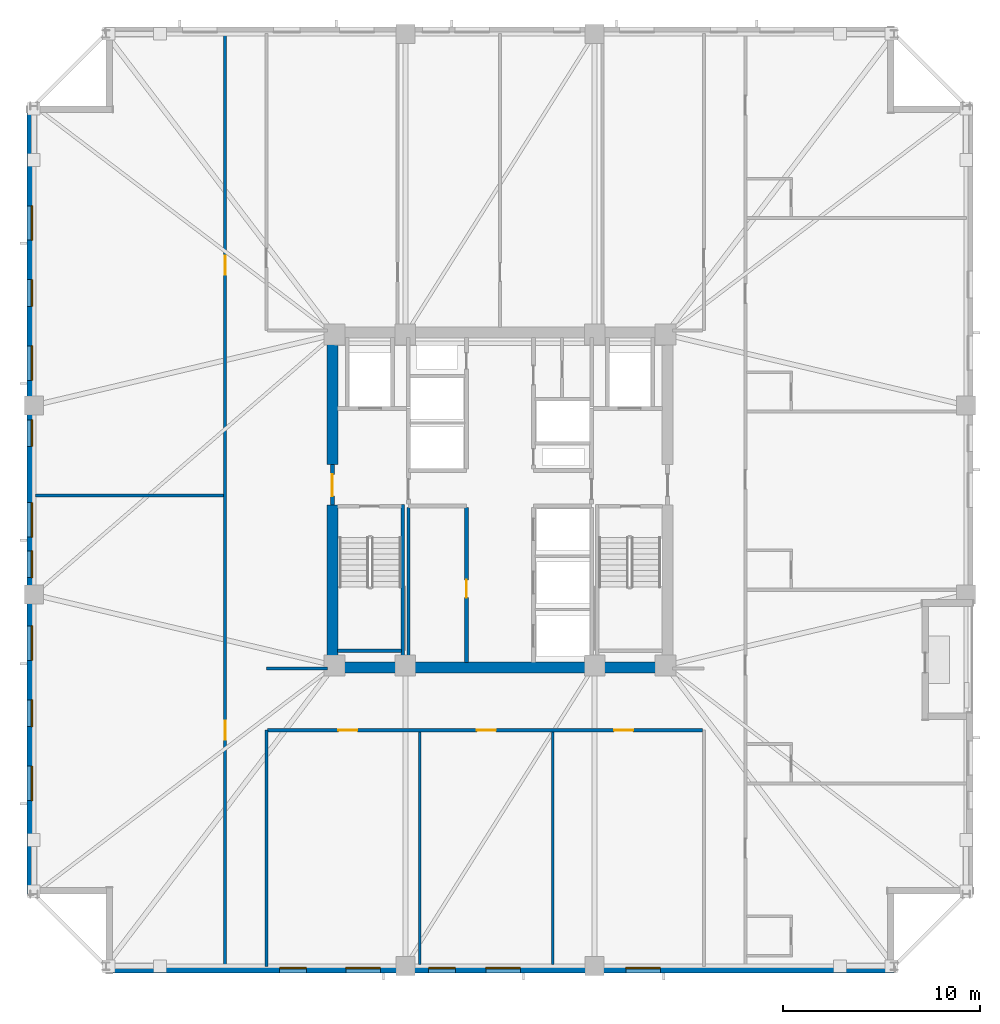
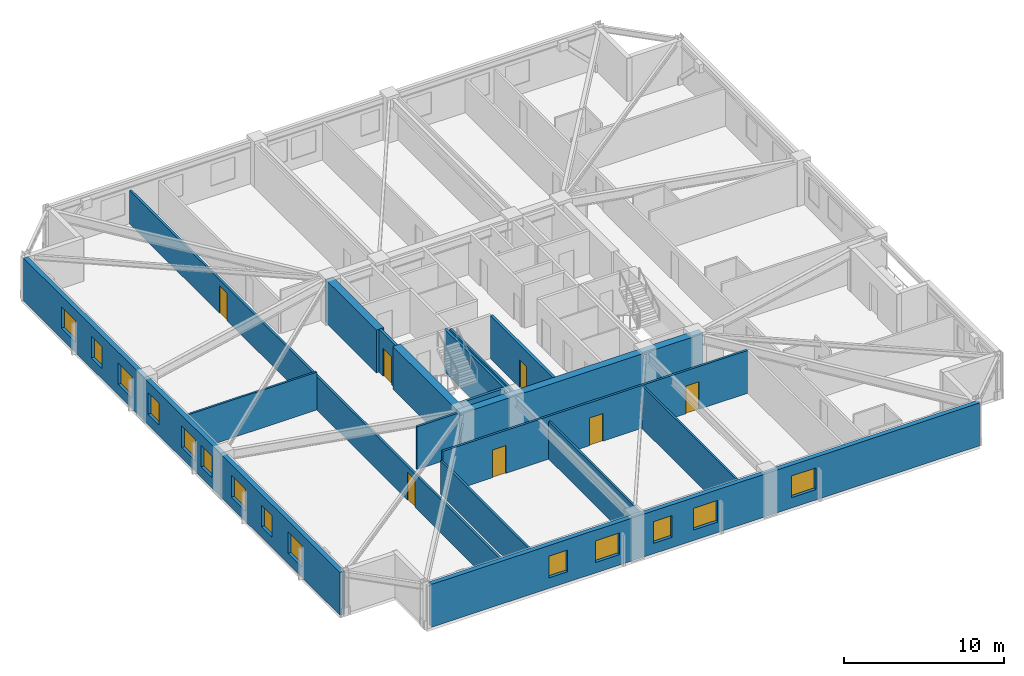
# One storey, part 2 of 10: 17 walls, 14 windows, 7 doors, 21 openings.
"""IFC4 building model written with IfcOpenShell, lengths in metres."""

import ifcopenshell
import ifcopenshell.guid

model = None  # the IFC model being written
_history = None  # IfcOwnerHistory: only IFC2X3 demands one
_inside = {}  # id of a spatial element -> (the spatial element, [elements in it])
_under = {}  # id of a project, library or spatial element -> (it, [spatial elements below it])
_declared = {}  # id of a project -> (the project, [libraries it declares])
_typed = {}  # id of a type object -> (the type object, [elements of that type])
_made_of = {}  # id of a material, layer set ... -> (it, [elements and type objects made of it])


def new_model(schema):
    """Start an empty IFC model of exactly this schema.

    Asked for "IFC4X3", IfcOpenShell would pick the latest addendum, in which some entities
    have other attributes; the version numbers below select the first issue.
    IFC2X3 requires an IfcOwnerHistory on every rooted entity: one is made here for all.
    """
    global model, _history
    if schema == "IFC4X3":
        model = ifcopenshell.file(schema_version=(4, 3, 0, 0))
    else:
        model = ifcopenshell.file(schema=schema)
    _inside.clear()
    _under.clear()
    _declared.clear()
    _typed.clear()
    _made_of.clear()
    _history = None
    if model.schema == "IFC2X3":
        org = make("IfcOrganization", Name="unknown")
        user = make(
            "IfcPersonAndOrganization",
            ThePerson=make("IfcPerson", FamilyName="unknown"),
            TheOrganization=org,
        )
        app = make(
            "IfcApplication",
            ApplicationDeveloper=org,
            Version="unknown",
            ApplicationFullName="unknown",
            ApplicationIdentifier="unknown",
        )
        _history = make(
            "IfcOwnerHistory",
            OwningUser=user,
            OwningApplication=app,
            ChangeAction="ADDED",
            CreationDate=0,
        )
    return model


def make(cls, **values):
    """One entity of the class cls with the attributes given. An attribute that is None is left unset."""
    return model.create_entity(
        cls, **{name: value for name, value in values.items() if value is not None}
    )


def rooted(cls, **values):
    """An entity with a GlobalId (a new one), such as an element, a storey or a relation."""
    return make(cls, GlobalId=ifcopenshell.guid.new(), OwnerHistory=_history, **values)


def si_unit(unit_type, name, prefix=None):
    """IfcSIUnit, for example si_unit("LENGTHUNIT", "METRE", prefix="MILLI")."""
    return make("IfcSIUnit", UnitType=unit_type, Prefix=prefix, Name=name)


def assignment(units):
    """IfcUnitAssignment: the units of a project."""
    return None if units is None else make("IfcUnitAssignment", Units=units)


def point(xyz):
    """IfcCartesianPoint."""
    return None if xyz is None else make("IfcCartesianPoint", Coordinates=xyz)


def direction(xyz):
    """IfcDirection."""
    return None if xyz is None else make("IfcDirection", DirectionRatios=xyz)


def frame(location, z_axis=None, x_axis=None):
    """IfcAxis2Placement3D, a coordinate frame: its origin and axes. An axis left out is left unset."""
    return make(
        "IfcAxis2Placement3D",
        Location=point(location),
        Axis=direction(z_axis),
        RefDirection=direction(x_axis),
    )


def frame_2d(location, x_axis=None):
    """IfcAxis2Placement2D, a coordinate frame in the plane: its origin and x axis."""
    return make(
        "IfcAxis2Placement2D", Location=point(location), RefDirection=direction(x_axis)
    )


def origin():
    """The frame at (0, 0, 0) with its axes left unset."""
    return frame((0.0, 0.0, 0.0))


def place(relative_to, where):
    """IfcLocalPlacement: puts the frame where relative to a parent placement (None: the world)."""
    return make(
        "IfcLocalPlacement", PlacementRelTo=relative_to, RelativePlacement=where
    )


def context(
    kind, dimensions, precision=None, world=None, true_north=None, identifier=None
):
    """IfcGeometricRepresentationContext, for example the 3D "Model" context."""
    return make(
        "IfcGeometricRepresentationContext",
        ContextIdentifier=identifier,
        ContextType=kind,
        CoordinateSpaceDimension=dimensions,
        Precision=precision,
        WorldCoordinateSystem=world,
        TrueNorth=true_north,
    )


def subcontext(parent, identifier, kind, view, scale=None):
    """IfcGeometricRepresentationSubContext, for example "Body" below "Model"."""
    return make(
        "IfcGeometricRepresentationSubContext",
        ContextIdentifier=identifier,
        ContextType=kind,
        ParentContext=parent,
        TargetScale=scale,
        TargetView=view,
    )


def project(units=None, contexts=None):
    """IfcProject with its units and contexts."""
    return rooted(
        "IfcProject",
        Name="project",
        RepresentationContexts=contexts,
        UnitsInContext=assignment(units),
    )


def spatial(cls, under=None, at=None, **own):
    """A site, building, storey or space (cls), placed at a placement, below another one or the project."""
    s = rooted(cls, ObjectPlacement=at, **own)
    if under is not None:
        _under.setdefault(under.id(), (under, []))[1].append(s)
    return s


def profile(cls, at=None, kind="AREA", **sizes):
    """A parametric profile (cls). Its sizes go by their IFC names, for example OverallWidth=200.0."""
    return make(cls, ProfileType=kind, Position=at, **sizes)


def rectangle(**sizes):
    """IfcRectangleProfileDef."""
    return profile("IfcRectangleProfileDef", **sizes)


def extrude(swept, where, along, depth):
    """IfcExtrudedAreaSolid: the profile swept, set in the frame where, extruded along a direction by depth."""
    return make(
        "IfcExtrudedAreaSolid",
        SweptArea=swept,
        Position=where,
        ExtrudedDirection=direction(along),
        Depth=depth,
    )


def shape(context_of_items, identifier, shape_type, items):
    """IfcShapeRepresentation: the items that make up one representation, for example the "Body"."""
    return make(
        "IfcShapeRepresentation",
        ContextOfItems=context_of_items,
        RepresentationIdentifier=identifier,
        RepresentationType=shape_type,
        Items=items,
    )


def material(Name=None, Category=None):
    """IfcMaterial."""
    return make("IfcMaterial", Name=Name, Category=Category)


def layer(
    of_material, thickness, ventilated=None, Name=None, Category=None, Priority=None
):
    """IfcMaterialLayer: one layer of a wall or slab, of a material (None: an air gap)."""
    return make(
        "IfcMaterialLayer",
        Material=of_material,
        LayerThickness=thickness,
        IsVentilated=ventilated,
        Name=Name,
        Category=Category,
        Priority=Priority,
    )


def layer_set(layers, Name=None):
    """IfcMaterialLayerSet."""
    return make("IfcMaterialLayerSet", MaterialLayers=layers, LayerSetName=Name)


def made_of(thing, what):
    """Note that an element or type object is made of a material, layer set ...; save() writes the relation."""
    if what is not None:
        _made_of.setdefault(what.id(), (what, []))[1].append(thing)
    return thing


def type_object(cls, material=None, **own):
    """A type object (cls), such as IfcWallType, which elements share."""
    return made_of(rooted(cls, **own), material)


def element(
    cls,
    number,
    at=None,
    inside=None,
    cuts=None,
    type_object=None,
    material=None,
    context=None,
    identifier="Body",
    shape_type=None,
    held_by="IfcProductDefinitionShape",
    body=None,
    shapes=None,
    **own,
):
    """One element of the class cls, such as IfcWall. Its Tag is "e" and its number.

    at: its placement. inside: the storey or other place that contains it. cuts: it is an
    opening in that element (IfcRelVoidsElement). A single representation is given by context,
    identifier, shape_type and body (its items); several are given by shapes. held_by: the class
    of the entity that holds the representations. save() writes the other relations.
    """
    e = rooted(cls, Tag="e%d" % number, ObjectPlacement=at, **own)
    if body is not None:
        shapes = [shape(context, identifier, shape_type, body)]
    if shapes is not None:
        e.Representation = make(held_by, Representations=shapes)
    if inside is not None:
        _inside.setdefault(inside.id(), (inside, []))[1].append(e)
    if cuts is not None:
        rooted(
            "IfcRelVoidsElement", RelatingBuildingElement=cuts, RelatedOpeningElement=e
        )
    if type_object is not None:
        _typed.setdefault(type_object.id(), (type_object, []))[1].append(e)
    return made_of(e, material)


def fill(opening, filler):
    """IfcRelFillsElement: the door or window that sits in an opening."""
    return rooted(
        "IfcRelFillsElement",
        RelatingOpeningElement=opening,
        RelatedBuildingElement=filler,
    )


def aggregate(whole, parts):
    """IfcRelAggregates: a whole, such as a stair, and the parts it consists of."""
    return rooted("IfcRelAggregates", RelatingObject=whole, RelatedObjects=parts)


def save(model, path):
    """Write the relations noted so far, then the file.

    IfcRelAggregates (storeys below a building ...), IfcRelContainedInSpatialStructure (elements
    in a storey), IfcRelDefinesByType, IfcRelAssociatesMaterial and IfcRelDeclares: one each for
    every whole, place, type object, material and project.
    """
    for whole, parts in _under.values():
        aggregate(whole, parts)
    for where, things in _inside.values():
        rooted(
            "IfcRelContainedInSpatialStructure",
            RelatedElements=things,
            RelatingStructure=where,
        )
    for kind, things in _typed.values():
        rooted("IfcRelDefinesByType", RelatedObjects=things, RelatingType=kind)
    for what, things in _made_of.values():
        rooted("IfcRelAssociatesMaterial", RelatedObjects=things, RelatingMaterial=what)
    for by, libraries in _declared.values():
        rooted("IfcRelDeclares", RelatingContext=by, RelatedDefinitions=libraries)
    model.write(path)


model = new_model("IFC4")

# Units and contexts
model_context = context("Model", 3, precision=1e-05, world=origin(), true_north=direction((0.0, 1.0)))
body_context = subcontext(model_context, "Body", "Model", "MODEL_VIEW")
ifc_project = project(units=[si_unit("LENGTHUNIT", "METRE"), si_unit("AREAUNIT", "SQUARE_METRE"), si_unit("VOLUMEUNIT", "CUBIC_METRE"), si_unit("PLANEANGLEUNIT", "RADIAN"), si_unit("MASSUNIT", "GRAM", prefix="KILO")], contexts=[model_context])

# Site, building, storey
site_placement = place(None, origin())
site = spatial("IfcSite", under=ifc_project, at=site_placement, CompositionType="ELEMENT")
building_placement = place(site_placement, origin())
building = spatial("IfcBuilding", under=site, at=building_placement, Name="Cairnveth Concourse Tower", CompositionType="ELEMENT")
storey_placement = place(building_placement, frame((0.0, 0.0, 179.5)))
storey = spatial("IfcBuildingStorey", under=building, at=storey_placement, Name="L49", CompositionType="ELEMENT", Elevation=179.5)

# Wall
ifc_material_1 = material(Name="Gypsum Plasterboard Partition", Category="gypsum")
ifc_layer_1 = layer(ifc_material_1, 0.159912109375)
ifc_layer_set_1 = layer_set([ifc_layer_1], Name="Gypsum Plasterboard Partition")
wall_type_1 = type_object("IfcWallType", Name="ACOUSTIC PARTY WALL 180", PredefinedType="PARTITIONING", material=ifc_layer_set_1)
wall_1_placement = place(storey_placement, frame((47.35009765625, 30.760009765625, 0.0), z_axis=(0.0, 0.0, 1.0), x_axis=(0.0, 1.0, 0.0)))
element("IfcWall", 1, at=wall_1_placement, inside=storey, type_object=wall_type_1, Name="Interior Wall IW-L49-025", PredefinedType="PARTITIONING", context=body_context, shape_type="SweptSolid", body=[
    extrude(rectangle(XDim=7.85498046875, YDim=0.159912109375, at=frame_2d((3.927490234375, 0.0))), origin(), (0.0, 0.0, 1.0), 3.280029296875),
])

# Wall, openings, doors
wall_2_placement = place(storey_placement, frame((38.050048828125, 15.324951171875, 0.0), z_axis=(0.0, 0.0, 1.0), x_axis=(0.0, 1.0, 0.0)))
wall_2 = element("IfcWall", 2, at=wall_2_placement, inside=storey, type_object=wall_type_1, Name="Interior Wall IW-L49-036", PredefinedType="PARTITIONING", context=body_context, shape_type="SweptSolid", body=[
    extrude(rectangle(XDim=47.35009765625, YDim=0.159912109375, at=frame_2d((23.675048828125, 0.0))), origin(), (0.0, 0.0, 1.0), 2.554931640625),
])
opening_1_placement = place(wall_2_placement, frame((11.521240234375, 0.0, 0.0)))
opening_1 = element("IfcOpeningElement", 3, at=opening_1_placement, cuts=wall_2, Name="Opening ID11", PredefinedType="OPENING", context=body_context, shape_type="SweptSolid", body=[
    extrude(rectangle(XDim=0.9599609375, YDim=2.1201171875, at=frame_2d((0.47998046875, 1.06005859375))), frame((0.0, 0.08984375, 0.0), z_axis=(0.0, -1.0, 0.0), x_axis=(1.0, 0.0, 0.0)), (0.0, 0.0, 1.0), 0.179931640625),
])
opening_2_placement = place(wall_2_placement, frame((35.101318359375, 0.0, 0.0)))
opening_2 = element("IfcOpeningElement", 4, at=opening_2_placement, cuts=wall_2, Name="Opening ID11", PredefinedType="OPENING", context=body_context, shape_type="SweptSolid", body=[
    extrude(rectangle(XDim=0.9599609375, YDim=2.1201171875, at=frame_2d((0.47998046875, 1.06005859375))), frame((0.0, 0.08984375, 0.0), z_axis=(0.0, -1.0, 0.0), x_axis=(1.0, 0.0, 0.0)), (0.0, 0.0, 1.0), 0.179931640625),
])
ifc_material_2 = material(Name="Solid Core Hardwood Timber Leaf", Category="wood")
door_type_1 = type_object("IfcDoorType", Name="INTERIOR SINGLE DOOR 960X2150", OperationType="NOTDEFINED", PredefinedType="DOOR", material=ifc_material_2)
door_1_placement = place(opening_1_placement, origin())
door_1 = element("IfcDoor", 5, at=door_1_placement, inside=storey, type_object=door_type_1, Name="Office Door L49-W1", OperationType="SINGLE_SWING_RIGHT", OverallHeight=2.1201171875, OverallWidth=0.9599609375, PredefinedType="DOOR", context=body_context, shape_type="SweptSolid", body=[
    extrude(rectangle(XDim=0.9599609375, YDim=2.1201171875, at=frame_2d((0.47998046875, 1.06005859375))), frame((0.0, 0.02490234375, 0.0), z_axis=(0.0, -1.0, 0.0), x_axis=(1.0, 0.0, 0.0)), (0.0, 0.0, 1.0), 0.050048828125),
])
fill(opening_1, door_1)
door_2_placement = place(opening_2_placement, origin())
door_2 = element("IfcDoor", 6, at=door_2_placement, inside=storey, type_object=door_type_1, Name="Office Door L49-W2", OperationType="SINGLE_SWING_LEFT", OverallHeight=2.1201171875, OverallWidth=0.9599609375, PredefinedType="DOOR", context=body_context, shape_type="SweptSolid", body=[
    extrude(rectangle(XDim=0.9599609375, YDim=2.1201171875, at=frame_2d((0.47998046875, 1.06005859375))), frame((0.0, 0.02490234375, 0.0), z_axis=(0.0, -1.0, 0.0), x_axis=(1.0, 0.0, 0.0)), (0.0, 0.0, 1.0), 0.050048828125),
])
fill(opening_2, door_2)

# Walls
wall_3_placement = place(storey_placement, frame((40.14990234375, 15.324951171875, 0.0), z_axis=(0.0, 0.0, 1.0), x_axis=(0.0, 1.0, 0.0)))
element("IfcWall", 7, at=wall_3_placement, inside=storey, type_object=wall_type_1, Name="Interior Wall IW-L49-037", PredefinedType="PARTITIONING", context=body_context, shape_type="SweptSolid", body=[
    extrude(rectangle(XDim=11.9951171875, YDim=0.159912109375, at=frame_2d((5.99755859375, 0.0))), origin(), (0.0, 0.0, 1.0), 2.554931640625),
])
wall_4_placement = place(storey_placement, frame((40.14990234375, 30.449951171875, 0.0), z_axis=(0.0, 0.0, 1.0), x_axis=(1.0, 0.0, 0.0)))
element("IfcWall", 8, at=wall_4_placement, inside=storey, type_object=wall_type_1, Name="Interior Wall IW-L49-039", PredefinedType="PARTITIONING", context=body_context, shape_type="SweptSolid", body=[
    extrude(rectangle(XDim=3.085205078125, YDim=0.159912109375, at=frame_2d((1.54248046875, 0.0))), origin(), (0.0, 0.0, 1.0), 3.280029296875),
])

# Wall, openings, doors
wall_5_placement = place(storey_placement, frame((40.215087890625, 27.320068359375, 0.0), z_axis=(0.0, 0.0, 1.0), x_axis=(1.0, 0.0, 0.0)))
wall_5 = element("IfcWall", 9, at=wall_5_placement, inside=storey, type_object=wall_type_1, Name="Interior Wall IW-L49-046", PredefinedType="PARTITIONING", context=body_context, shape_type="SweptSolid", body=[
    extrude(rectangle(XDim=22.06982421875, YDim=0.159912109375, at=frame_2d((11.034912109375, 0.0))), origin(), (0.0, 0.0, 1.0), 3.280029296875),
])
opening_3_placement = place(wall_5_placement, frame((3.587158203125, 0.0, 0.0)))
opening_3 = element("IfcOpeningElement", 10, at=opening_3_placement, cuts=wall_5, Name="Opening ID11", PredefinedType="OPENING", context=body_context, shape_type="SweptSolid", body=[
    extrude(rectangle(XDim=0.9599609375, YDim=2.1201171875, at=frame_2d((0.47998046875, 1.06005859375))), frame((0.0, 0.08984375, 0.0), z_axis=(0.0, -1.0, 0.0), x_axis=(1.0, 0.0, 0.0)), (0.0, 0.0, 1.0), 0.179931640625),
])
opening_4_placement = place(wall_5_placement, frame((10.610107421875, 0.0, 0.0)))
opening_4 = element("IfcOpeningElement", 11, at=opening_4_placement, cuts=wall_5, Name="Opening ID11", PredefinedType="OPENING", context=body_context, shape_type="SweptSolid", body=[
    extrude(rectangle(XDim=0.9599609375, YDim=2.1201171875, at=frame_2d((0.47998046875, 1.06005859375))), frame((0.0, 0.08984375, 0.0), z_axis=(0.0, -1.0, 0.0), x_axis=(1.0, 0.0, 0.0)), (0.0, 0.0, 1.0), 0.179931640625),
])
opening_5_placement = place(wall_5_placement, frame((17.577880859375, 0.0, 0.0)))
opening_5 = element("IfcOpeningElement", 12, at=opening_5_placement, cuts=wall_5, Name="Opening ID11", PredefinedType="OPENING", context=body_context, shape_type="SweptSolid", body=[
    extrude(rectangle(XDim=0.9599609375, YDim=2.1201171875, at=frame_2d((0.47998046875, 1.06005859375))), frame((0.0, 0.08984375, 0.0), z_axis=(0.0, -1.0, 0.0), x_axis=(1.0, 0.0, 0.0)), (0.0, 0.0, 1.0), 0.179931640625),
])
door_3_placement = place(opening_3_placement, origin())
door_3 = element("IfcDoor", 13, at=door_3_placement, inside=storey, type_object=door_type_1, Name="Office Door L49-S1", OperationType="SINGLE_SWING_LEFT", OverallHeight=2.1201171875, OverallWidth=0.9599609375, PredefinedType="DOOR", context=body_context, shape_type="SweptSolid", body=[
    extrude(rectangle(XDim=0.9599609375, YDim=2.1201171875, at=frame_2d((0.47998046875, 1.06005859375))), frame((0.0, 0.02490234375, 0.0), z_axis=(0.0, -1.0, 0.0), x_axis=(1.0, 0.0, 0.0)), (0.0, 0.0, 1.0), 0.050048828125),
])
fill(opening_3, door_3)
door_4_placement = place(opening_4_placement, origin())
door_4 = element("IfcDoor", 14, at=door_4_placement, inside=storey, type_object=door_type_1, Name="Office Door L49-S2", OperationType="SINGLE_SWING_RIGHT", OverallHeight=2.1201171875, OverallWidth=0.9599609375, PredefinedType="DOOR", context=body_context, shape_type="SweptSolid", body=[
    extrude(rectangle(XDim=0.9599609375, YDim=2.1201171875, at=frame_2d((0.47998046875, 1.06005859375))), frame((0.0, 0.02490234375, 0.0), z_axis=(0.0, -1.0, 0.0), x_axis=(1.0, 0.0, 0.0)), (0.0, 0.0, 1.0), 0.050048828125),
])
fill(opening_4, door_4)
door_5_placement = place(opening_5_placement, origin())
door_5 = element("IfcDoor", 15, at=door_5_placement, inside=storey, type_object=door_type_1, Name="Office Door L49-S3", OperationType="SINGLE_SWING_LEFT", OverallHeight=2.1201171875, OverallWidth=0.9599609375, PredefinedType="DOOR", context=body_context, shape_type="SweptSolid", body=[
    extrude(rectangle(XDim=0.9599609375, YDim=2.1201171875, at=frame_2d((0.47998046875, 1.06005859375))), frame((0.0, 0.02490234375, 0.0), z_axis=(0.0, -1.0, 0.0), x_axis=(1.0, 0.0, 0.0)), (0.0, 0.0, 1.0), 0.050048828125),
])
fill(opening_5, door_5)

# Walls
ifc_material_3 = material(Name="Concrete N80 (80 MPa)", Category="concrete")
ifc_layer_2 = layer(ifc_material_3, 0.550048828125)
ifc_layer_set_2 = layer_set([ifc_layer_2], Name="Concrete N80 (80 MPa)")
wall_type_2 = type_object("IfcWallType", Name="CORE SHEAR WALL 550", PredefinedType="SHEAR", material=ifc_layer_set_2)
wall_6_placement = place(storey_placement, frame((43.22509765625, 30.5, 0.0), z_axis=(0.0, 0.0, 1.0), x_axis=(1.0, 0.0, 0.0)))
element("IfcWall", 16, at=wall_6_placement, inside=storey, type_object=wall_type_2, Name="Core South Shear Wall L49", PredefinedType="SHEAR", context=body_context, shape_type="SweptSolid", body=[
    extrude(rectangle(XDim=17.5498046875, YDim=0.550048828125, at=frame_2d((8.77490234375, 0.0))), origin(), (0.0, 0.0, 1.0), 3.280029296875),
])
wall_7_placement = place(storey_placement, frame((43.5, 30.764892578125, 0.0), z_axis=(0.0, 0.0, 1.0), x_axis=(0.0, 1.0, 0.0)))
element("IfcWall", 17, at=wall_7_placement, inside=storey, type_object=wall_type_2, Name="Core West Shear Wall S L49", PredefinedType="SHEAR", context=body_context, shape_type="SweptSolid", body=[
    extrude(rectangle(XDim=7.985107421875, YDim=0.550048828125, at=frame_2d((3.99267578125, 0.0))), origin(), (0.0, 0.0, 1.0), 3.280029296875),
])
wall_8_placement = place(storey_placement, frame((43.5, 40.800048828125, 0.0), z_axis=(0.0, 0.0, 1.0), x_axis=(0.0, 1.0, 0.0)))
element("IfcWall", 18, at=wall_8_placement, inside=storey, type_object=wall_type_2, Name="Core West Shear Wall N L49", PredefinedType="SHEAR", context=body_context, shape_type="SweptSolid", body=[
    extrude(rectangle(XDim=6.43505859375, YDim=0.550048828125, at=frame_2d((3.217529296875, 0.0))), origin(), (0.0, 0.0, 1.0), 3.280029296875),
])
ifc_material_4 = material(Name="Concrete N50 (50 MPa)", Category="concrete")
ifc_layer_3 = layer(ifc_material_4, 0.179931640625)
ifc_layer_set_3 = layer_set([ifc_layer_3], Name="Concrete N50 (50 MPa)")
wall_type_3 = type_object("IfcWallType", Name="FIRE SHAFT WALL 180", PredefinedType="SOLIDWALL", material=ifc_layer_set_3)
wall_9_placement = place(storey_placement, frame((43.764892578125, 31.360107421875, 0.0), z_axis=(0.0, 0.0, 1.0), x_axis=(1.0, 0.0, 0.0)))
element("IfcWall", 19, at=wall_9_placement, inside=storey, type_object=wall_type_3, Name="Stair ST-1 Shaft Wall FAR L49", PredefinedType="SOLIDWALL", context=body_context, shape_type="SweptSolid", body=[
    extrude(rectangle(XDim=3.230224609375, YDim=0.179931640625, at=frame_2d((1.615234375, 0.0))), origin(), (0.0, 0.0, 1.0), 3.280029296875),
])
wall_10_placement = place(storey_placement, frame((47.070068359375, 38.780029296875, 0.0), z_axis=(0.0, 0.0, 1.0), x_axis=(0.0, -1.0, 0.0)))
element("IfcWall", 20, at=wall_10_placement, inside=storey, type_object=wall_type_3, Name="Stair ST-1 Shaft Wall RGHT L49", PredefinedType="SOLIDWALL", context=body_context, shape_type="SweptSolid", body=[
    extrude(rectangle(XDim=8.01708984375, YDim=0.179931640625, at=frame_2d((4.008544921875, 0.0))), origin(), (0.0, 0.0, 1.0), 3.280029296875),
])

# Wall, opening, door
ifc_layer_4 = layer(ifc_material_4, 0.199951171875)
ifc_layer_set_4 = layer_set([ifc_layer_4], Name="Concrete N50 (50 MPa)")
wall_type_4 = type_object("IfcWallType", Name="FIRE SHAFT WALL 200", PredefinedType="SOLIDWALL", material=ifc_layer_set_4)
wall_11_placement = place(storey_placement, frame((50.300048828125, 30.760009765625, 0.0), z_axis=(0.0, 0.0, 1.0), x_axis=(0.0, 1.0, 0.0)))
wall_11 = element("IfcWall", 21, at=wall_11_placement, inside=storey, type_object=wall_type_4, Name="Interior Wall IW-L49-011", PredefinedType="SOLIDWALL", context=body_context, shape_type="SweptSolid", body=[
    extrude(rectangle(XDim=7.85498046875, YDim=0.199951171875, at=frame_2d((3.927490234375, 0.0))), origin(), (0.0, 0.0, 1.0), 3.280029296875),
])
opening_6_placement = place(wall_11_placement, frame((3.2900390625, 0.0, 0.0)))
opening_6 = element("IfcOpeningElement", 22, at=opening_6_placement, cuts=wall_11, Name="Opening ID16", PredefinedType="OPENING", context=body_context, shape_type="SweptSolid", body=[
    extrude(rectangle(XDim=0.89990234375, YDim=2.1201171875, at=frame_2d((0.449951171875, 1.06005859375))), frame((0.0, 0.10986328125, 0.0), z_axis=(0.0, -1.0, 0.0), x_axis=(1.0, 0.0, 0.0)), (0.0, 0.0, 1.0), 0.219970703125),
])
ifc_material_5 = material(Name="Steel Grade 350", Category="steel")
door_type_2 = type_object("IfcDoorType", Name="CORE SERVICE DOOR 900X2100", OperationType="NOTDEFINED", PredefinedType="DOOR", material=ifc_material_5)
door_6_placement = place(opening_6_placement, origin())
door_6 = element("IfcDoor", 23, at=door_6_placement, inside=storey, type_object=door_type_2, Name="Linen Pantry Suite Door L49", OperationType="SINGLE_SWING_LEFT", OverallHeight=2.1201171875, OverallWidth=0.89990234375, PredefinedType="DOOR", context=body_context, shape_type="SweptSolid", body=[
    extrude(rectangle(XDim=0.89990234375, YDim=2.1201171875, at=frame_2d((0.449951171875, 1.06005859375))), frame((0.0, 0.02490234375, 0.0), z_axis=(0.0, -1.0, 0.0), x_axis=(1.0, 0.0, 0.0)), (0.0, 0.0, 1.0), 0.050048828125),
])
fill(opening_6, door_6)

wall_12_placement = place(storey_placement, frame((43.5, 38.75, 0.0), z_axis=(0.0, 0.0, 1.0), x_axis=(0.0, 1.0, 0.0)))
wall_12 = element("IfcWall", 24, at=wall_12_placement, inside=storey, type_object=wall_type_4, Name="Interior Wall IW-L49-015", PredefinedType="SOLIDWALL", context=body_context, shape_type="SweptSolid", body=[
    extrude(rectangle(XDim=2.050048828125, YDim=0.199951171875, at=frame_2d((1.02490234375, 0.0))), origin(), (0.0, 0.0, 1.0), 3.280029296875),
])
opening_7_placement = place(wall_12_placement, frame((0.449951171875, 0.0, 0.0)))
opening_7 = element("IfcOpeningElement", 25, at=opening_7_placement, cuts=wall_12, Name="Opening ID06", PredefinedType="OPENING", context=body_context, shape_type="SweptSolid", body=[
    extrude(rectangle(XDim=1.10009765625, YDim=2.14990234375, at=frame_2d((0.550048828125, 1.074951171875))), frame((0.0, 0.10986328125, 0.0), z_axis=(0.0, -1.0, 0.0), x_axis=(1.0, 0.0, 0.0)), (0.0, 0.0, 1.0), 0.219970703125),
])
door_type_3 = type_object("IfcDoorType", Name="FIRE CORRIDOR DOOR 1100X2150", OperationType="NOTDEFINED", PredefinedType="DOOR", material=ifc_material_5)
door_7_placement = place(opening_7_placement, origin())
door_7 = element("IfcDoor", 26, at=door_7_placement, inside=storey, type_object=door_type_3, Name="West Wing to FF Lobby Door L49", OperationType="SINGLE_SWING_LEFT", OverallHeight=2.14990234375, OverallWidth=1.10009765625, PredefinedType="DOOR", context=body_context, shape_type="SweptSolid", body=[
    extrude(rectangle(XDim=1.10009765625, YDim=2.14990234375, at=frame_2d((0.550048828125, 1.074951171875))), frame((0.0, 0.02490234375, 0.0), z_axis=(0.0, -1.0, 0.0), x_axis=(1.0, 0.0, 0.0)), (0.0, 0.0, 1.0), 0.050048828125),
])
fill(opening_7, door_7)

# Walls
ifc_layer_5 = layer(ifc_material_1, 0.139892578125)
ifc_layer_set_5 = layer_set([ifc_layer_5], Name="Gypsum Plasterboard Partition")
wall_type_5 = type_object("IfcWallType", Name="GYPSUM STUD PARTITION 140", PredefinedType="PARTITIONING", material=ifc_layer_set_5)
wall_13_placement = place(storey_placement, frame((47.93408203125, 15.419921875, 0.0), z_axis=(0.0, 0.0, 1.0), x_axis=(0.0, 1.0, 0.0)))
element("IfcWall", 27, at=wall_13_placement, inside=storey, type_object=wall_type_5, Name="Interior Wall IW-L49-050", PredefinedType="PARTITIONING", context=body_context, shape_type="SweptSolid", body=[
    extrude(rectangle(XDim=11.820068359375, YDim=0.139892578125, at=frame_2d((5.91015625, 0.0))), origin(), (0.0, 0.0, 1.0), 2.89599609375),
])
wall_14_placement = place(storey_placement, frame((54.67578125, 15.419921875, 0.0), z_axis=(0.0, 0.0, 1.0), x_axis=(0.0, 1.0, 0.0)))
element("IfcWall", 28, at=wall_14_placement, inside=storey, type_object=wall_type_5, Name="Interior Wall IW-L49-051", PredefinedType="PARTITIONING", context=body_context, shape_type="SweptSolid", body=[
    extrude(rectangle(XDim=11.820068359375, YDim=0.139892578125, at=frame_2d((5.91015625, 0.0))), origin(), (0.0, 0.0, 1.0), 3.280029296875),
])
wall_15_placement = place(storey_placement, frame((28.419921875, 39.232421875, 0.0), z_axis=(0.0, 0.0, 1.0), x_axis=(1.0, 0.0, 0.0)))
element("IfcWall", 29, at=wall_15_placement, inside=storey, type_object=wall_type_5, Name="Interior Wall IW-L49-052", PredefinedType="PARTITIONING", context=body_context, shape_type="SweptSolid", body=[
    extrude(rectangle(XDim=9.550048828125, YDim=0.139892578125, at=frame_2d((4.77490234375, 0.0))), origin(), (0.0, 0.0, 1.0), 2.89599609375),
])

# Wall, openings, windows
ifc_material_6 = material(Name="Hawthorn Red-Ochre Fired Clay Brick Masonry", Category="masonry")
ifc_layer_6 = layer(ifc_material_6, 0.340087890625)
ifc_layer_set_6 = layer_set([ifc_layer_6], Name="Hawthorn Red-Ochre Fired Clay Brick Masonry")
wall_type_6 = type_object("IfcWallType", Name="ZONE 2 BRICK PIER SPANDREL WALL 340", PredefinedType="SOLIDWALL", material=ifc_layer_set_6)
wall_16_placement = place(storey_placement, frame((72.0, 15.169921875, 0.0), z_axis=(0.0, 0.0, 1.0), x_axis=(-1.0, 0.0, 0.0)))
wall_16 = element("IfcWall", 30, at=wall_16_placement, inside=storey, type_object=wall_type_6, Name="Exterior Wall EW-L49-S03", PredefinedType="SOLIDWALL", context=body_context, shape_type="SweptSolid", body=[
    extrude(rectangle(XDim=39.681884765625, YDim=0.340087890625, at=frame_2d((19.8408203125, 0.0))), origin(), (0.0, 0.0, 1.0), 3.280029296875),
])
opening_8_placement = place(wall_16_placement, frame((11.85888671875, 0.0, 0.800048828125)))
opening_8 = element("IfcOpeningElement", 31, at=opening_8_placement, cuts=wall_16, Name="Opening W06", PredefinedType="OPENING", context=body_context, shape_type="SweptSolid", body=[
    extrude(rectangle(XDim=1.75, YDim=1.659912109375, at=frame_2d((0.875, 0.830078125))), frame((0.0, 0.179931640625, 0.0), z_axis=(0.0, -1.0, 0.0), x_axis=(1.0, 0.0, 0.0)), (0.0, 0.0, 1.0), 0.360107421875),
])
opening_9_placement = place(wall_16_placement, frame((18.966064453125, 0.0, 0.800048828125)))
opening_9 = element("IfcOpeningElement", 32, at=opening_9_placement, cuts=wall_16, Name="Opening W06", PredefinedType="OPENING", context=body_context, shape_type="SweptSolid", body=[
    extrude(rectangle(XDim=1.75, YDim=1.659912109375, at=frame_2d((0.875, 0.830078125))), frame((0.0, 0.179931640625, 0.0), z_axis=(0.0, -1.0, 0.0), x_axis=(1.0, 0.0, 0.0)), (0.0, 0.0, 1.0), 0.360107421875),
])
opening_10_placement = place(wall_16_placement, frame((22.26953125, 0.0, 0.800048828125)))
opening_10 = element("IfcOpeningElement", 33, at=opening_10_placement, cuts=wall_16, Name="Opening W02", PredefinedType="OPENING", context=body_context, shape_type="SweptSolid", body=[
    extrude(rectangle(XDim=1.35009765625, YDim=1.659912109375, at=frame_2d((0.675048828125, 0.830078125))), frame((0.0, 0.179931640625, 0.0), z_axis=(0.0, -1.0, 0.0), x_axis=(1.0, 0.0, 0.0)), (0.0, 0.0, 1.0), 0.360107421875),
])
opening_11_placement = place(wall_16_placement, frame((26.072998046875, 0.0, 0.800048828125)))
opening_11 = element("IfcOpeningElement", 34, at=opening_11_placement, cuts=wall_16, Name="Opening W06", PredefinedType="OPENING", context=body_context, shape_type="SweptSolid", body=[
    extrude(rectangle(XDim=1.75, YDim=1.659912109375, at=frame_2d((0.875, 0.830078125))), frame((0.0, 0.179931640625, 0.0), z_axis=(0.0, -1.0, 0.0), x_axis=(1.0, 0.0, 0.0)), (0.0, 0.0, 1.0), 0.360107421875),
])
opening_12_placement = place(wall_16_placement, frame((29.82666015625, 0.0, 0.800048828125)))
opening_12 = element("IfcOpeningElement", 35, at=opening_12_placement, cuts=wall_16, Name="Opening W02", PredefinedType="OPENING", context=body_context, shape_type="SweptSolid", body=[
    extrude(rectangle(XDim=1.35009765625, YDim=1.659912109375, at=frame_2d((0.675048828125, 0.830078125))), frame((0.0, 0.179931640625, 0.0), z_axis=(0.0, -1.0, 0.0), x_axis=(1.0, 0.0, 0.0)), (0.0, 0.0, 1.0), 0.360107421875),
])
ifc_material_7 = material(Name="Double Glazed Low-E Clear Glass", Category="glass")
window_type_1 = type_object("IfcWindowType", Name="DEEP-SET GOTHIC LANCET WINDOW 1350X1800", PartitioningType="DOUBLE_PANEL_VERTICAL", PredefinedType="WINDOW", material=ifc_material_7)
window_1_placement = place(opening_10_placement, origin())
window_1 = element("IfcWindow", 36, at=window_1_placement, inside=storey, type_object=window_type_1, Name="Gothic Lancet Window L49-3-6", OverallHeight=1.659912109375, OverallWidth=1.35009765625, PartitioningType="SINGLE_PANEL", PredefinedType="WINDOW", context=body_context, shape_type="SweptSolid", body=[
    extrude(rectangle(XDim=1.35009765625, YDim=1.659912109375, at=frame_2d((0.675048828125, 0.830078125))), frame((0.0, -0.050048828125, 0.0), z_axis=(0.0, -1.0, 0.0), x_axis=(1.0, 0.0, 0.0)), (0.0, 0.0, 1.0), 0.06005859375),
])
fill(opening_10, window_1)
window_2_placement = place(opening_12_placement, origin())
window_2 = element("IfcWindow", 37, at=window_2_placement, inside=storey, type_object=window_type_1, Name="Gothic Lancet Window L49-3-8", OverallHeight=1.659912109375, OverallWidth=1.35009765625, PartitioningType="SINGLE_PANEL", PredefinedType="WINDOW", context=body_context, shape_type="SweptSolid", body=[
    extrude(rectangle(XDim=1.35009765625, YDim=1.659912109375, at=frame_2d((0.675048828125, 0.830078125))), frame((0.0, -0.050048828125, 0.0), z_axis=(0.0, -1.0, 0.0), x_axis=(1.0, 0.0, 0.0)), (0.0, 0.0, 1.0), 0.06005859375),
])
fill(opening_12, window_2)
window_type_2 = type_object("IfcWindowType", Name="DEEP-SET HOTEL SUITE WINDOW 1750X1800", PartitioningType="DOUBLE_PANEL_VERTICAL", PredefinedType="WINDOW", material=ifc_material_7)
window_3_placement = place(opening_8_placement, origin())
window_3 = element("IfcWindow", 38, at=window_3_placement, inside=storey, type_object=window_type_2, Name="Gothic Lancet Window L49-3-3", OverallHeight=1.659912109375, OverallWidth=1.75, PartitioningType="SINGLE_PANEL", PredefinedType="WINDOW", context=body_context, shape_type="SweptSolid", body=[
    extrude(rectangle(XDim=1.75, YDim=1.659912109375, at=frame_2d((0.875, 0.830078125))), frame((0.0, -0.050048828125, 0.0), z_axis=(0.0, -1.0, 0.0), x_axis=(1.0, 0.0, 0.0)), (0.0, 0.0, 1.0), 0.06005859375),
])
fill(opening_8, window_3)
window_4_placement = place(opening_9_placement, origin())
window_4 = element("IfcWindow", 39, at=window_4_placement, inside=storey, type_object=window_type_2, Name="Gothic Lancet Window L49-3-5", OverallHeight=1.659912109375, OverallWidth=1.75, PartitioningType="SINGLE_PANEL", PredefinedType="WINDOW", context=body_context, shape_type="SweptSolid", body=[
    extrude(rectangle(XDim=1.75, YDim=1.659912109375, at=frame_2d((0.875, 0.830078125))), frame((0.0, -0.050048828125, 0.0), z_axis=(0.0, -1.0, 0.0), x_axis=(1.0, 0.0, 0.0)), (0.0, 0.0, 1.0), 0.06005859375),
])
fill(opening_9, window_4)
window_5_placement = place(opening_11_placement, origin())
window_5 = element("IfcWindow", 40, at=window_5_placement, inside=storey, type_object=window_type_2, Name="Gothic Lancet Window L49-3-7", OverallHeight=1.659912109375, OverallWidth=1.75, PartitioningType="SINGLE_PANEL", PredefinedType="WINDOW", context=body_context, shape_type="SweptSolid", body=[
    extrude(rectangle(XDim=1.75, YDim=1.659912109375, at=frame_2d((0.875, 0.830078125))), frame((0.0, -0.050048828125, 0.0), z_axis=(0.0, -1.0, 0.0), x_axis=(1.0, 0.0, 0.0)), (0.0, 0.0, 1.0), 0.06005859375),
])
fill(opening_11, window_5)

wall_17_placement = place(storey_placement, frame((28.169921875, 19.0, 0.0), z_axis=(0.0, 0.0, 1.0), x_axis=(0.0, 1.0, 0.0)))
wall_17 = element("IfcWall", 41, at=wall_17_placement, inside=storey, type_object=wall_type_6, Name="Exterior Wall EW-L49-S06", PredefinedType="SOLIDWALL", context=body_context, shape_type="SweptSolid", body=[
    extrude(rectangle(XDim=39.681884765625, YDim=0.340087890625, at=frame_2d((19.8408203125, 0.0))), origin(), (0.0, 0.0, 1.0), 3.280029296875),
])
opening_13_placement = place(wall_17_placement, frame((4.751708984375, 0.0, 0.800048828125)))
opening_13 = element("IfcOpeningElement", 42, at=opening_13_placement, cuts=wall_17, Name="Opening W06", PredefinedType="OPENING", context=body_context, shape_type="SweptSolid", body=[
    extrude(rectangle(XDim=1.75, YDim=1.659912109375, at=frame_2d((0.875, 0.830078125))), frame((0.0, 0.179931640625, 0.0), z_axis=(0.0, -1.0, 0.0), x_axis=(1.0, 0.0, 0.0)), (0.0, 0.0, 1.0), 0.360107421875),
])
opening_14_placement = place(wall_17_placement, frame((8.50537109375, 0.0, 0.800048828125)))
opening_14 = element("IfcOpeningElement", 43, at=opening_14_placement, cuts=wall_17, Name="Opening W02", PredefinedType="OPENING", context=body_context, shape_type="SweptSolid", body=[
    extrude(rectangle(XDim=1.35009765625, YDim=1.659912109375, at=frame_2d((0.675048828125, 0.830078125))), frame((0.0, 0.179931640625, 0.0), z_axis=(0.0, -1.0, 0.0), x_axis=(1.0, 0.0, 0.0)), (0.0, 0.0, 1.0), 0.360107421875),
])
opening_15_placement = place(wall_17_placement, frame((11.85888671875, 0.0, 0.800048828125)))
opening_15 = element("IfcOpeningElement", 44, at=opening_15_placement, cuts=wall_17, Name="Opening W06", PredefinedType="OPENING", context=body_context, shape_type="SweptSolid", body=[
    extrude(rectangle(XDim=1.75, YDim=1.659912109375, at=frame_2d((0.875, 0.830078125))), frame((0.0, 0.179931640625, 0.0), z_axis=(0.0, -1.0, 0.0), x_axis=(1.0, 0.0, 0.0)), (0.0, 0.0, 1.0), 0.360107421875),
])
opening_16_placement = place(wall_17_placement, frame((16.0625, 0.0, 0.800048828125)))
opening_16 = element("IfcOpeningElement", 45, at=opening_16_placement, cuts=wall_17, Name="Opening W02", PredefinedType="OPENING", context=body_context, shape_type="SweptSolid", body=[
    extrude(rectangle(XDim=1.35009765625, YDim=1.659912109375, at=frame_2d((0.675048828125, 0.830078125))), frame((0.0, 0.179931640625, 0.0), z_axis=(0.0, -1.0, 0.0), x_axis=(1.0, 0.0, 0.0)), (0.0, 0.0, 1.0), 0.360107421875),
])
opening_17_placement = place(wall_17_placement, frame((18.115966796875, 0.0, 0.800048828125)))
opening_17 = element("IfcOpeningElement", 46, at=opening_17_placement, cuts=wall_17, Name="Opening W06", PredefinedType="OPENING", context=body_context, shape_type="SweptSolid", body=[
    extrude(rectangle(XDim=1.75, YDim=1.659912109375, at=frame_2d((0.875, 0.830078125))), frame((0.0, 0.179931640625, 0.0), z_axis=(0.0, -1.0, 0.0), x_axis=(1.0, 0.0, 0.0)), (0.0, 0.0, 1.0), 0.360107421875),
])
opening_18_placement = place(wall_17_placement, frame((22.719482421875, 0.0, 0.800048828125)))
opening_18 = element("IfcOpeningElement", 47, at=opening_18_placement, cuts=wall_17, Name="Opening W02", PredefinedType="OPENING", context=body_context, shape_type="SweptSolid", body=[
    extrude(rectangle(XDim=1.35009765625, YDim=1.659912109375, at=frame_2d((0.675048828125, 0.830078125))), frame((0.0, 0.179931640625, 0.0), z_axis=(0.0, -1.0, 0.0), x_axis=(1.0, 0.0, 0.0)), (0.0, 0.0, 1.0), 0.360107421875),
])
opening_19_placement = place(wall_17_placement, frame((26.072998046875, 0.0, 0.800048828125)))
opening_19 = element("IfcOpeningElement", 48, at=opening_19_placement, cuts=wall_17, Name="Opening W06", PredefinedType="OPENING", context=body_context, shape_type="SweptSolid", body=[
    extrude(rectangle(XDim=1.75, YDim=1.659912109375, at=frame_2d((0.875, 0.830078125))), frame((0.0, 0.179931640625, 0.0), z_axis=(0.0, -1.0, 0.0), x_axis=(1.0, 0.0, 0.0)), (0.0, 0.0, 1.0), 0.360107421875),
])
opening_20_placement = place(wall_17_placement, frame((29.82666015625, 0.0, 0.800048828125)))
opening_20 = element("IfcOpeningElement", 49, at=opening_20_placement, cuts=wall_17, Name="Opening W02", PredefinedType="OPENING", context=body_context, shape_type="SweptSolid", body=[
    extrude(rectangle(XDim=1.35009765625, YDim=1.659912109375, at=frame_2d((0.675048828125, 0.830078125))), frame((0.0, 0.179931640625, 0.0), z_axis=(0.0, -1.0, 0.0), x_axis=(1.0, 0.0, 0.0)), (0.0, 0.0, 1.0), 0.360107421875),
])
opening_21_placement = place(wall_17_placement, frame((33.18017578125, 0.0, 0.800048828125)))
opening_21 = element("IfcOpeningElement", 50, at=opening_21_placement, cuts=wall_17, Name="Opening W06", PredefinedType="OPENING", context=body_context, shape_type="SweptSolid", body=[
    extrude(rectangle(XDim=1.75, YDim=1.659912109375, at=frame_2d((0.875, 0.830078125))), frame((0.0, 0.179931640625, 0.0), z_axis=(0.0, -1.0, 0.0), x_axis=(1.0, 0.0, 0.0)), (0.0, 0.0, 1.0), 0.360107421875),
])
window_6_placement = place(opening_14_placement, origin())
window_6 = element("IfcWindow", 51, at=window_6_placement, inside=storey, type_object=window_type_1, Name="Gothic Lancet Window L49-6-2", OverallHeight=1.659912109375, OverallWidth=1.35009765625, PartitioningType="SINGLE_PANEL", PredefinedType="WINDOW", context=body_context, shape_type="SweptSolid", body=[
    extrude(rectangle(XDim=1.35009765625, YDim=1.659912109375, at=frame_2d((0.675048828125, 0.830078125))), frame((0.0, -0.050048828125, 0.0), z_axis=(0.0, -1.0, 0.0), x_axis=(1.0, 0.0, 0.0)), (0.0, 0.0, 1.0), 0.06005859375),
])
fill(opening_14, window_6)
window_7_placement = place(opening_16_placement, origin())
window_7 = element("IfcWindow", 52, at=window_7_placement, inside=storey, type_object=window_type_1, Name="Gothic Lancet Window L49-6-4", OverallHeight=1.659912109375, OverallWidth=1.35009765625, PartitioningType="SINGLE_PANEL", PredefinedType="WINDOW", context=body_context, shape_type="SweptSolid", body=[
    extrude(rectangle(XDim=1.35009765625, YDim=1.659912109375, at=frame_2d((0.675048828125, 0.830078125))), frame((0.0, -0.050048828125, 0.0), z_axis=(0.0, -1.0, 0.0), x_axis=(1.0, 0.0, 0.0)), (0.0, 0.0, 1.0), 0.06005859375),
])
fill(opening_16, window_7)
window_8_placement = place(opening_18_placement, origin())
window_8 = element("IfcWindow", 53, at=window_8_placement, inside=storey, type_object=window_type_1, Name="Gothic Lancet Window L49-6-6", OverallHeight=1.659912109375, OverallWidth=1.35009765625, PartitioningType="SINGLE_PANEL", PredefinedType="WINDOW", context=body_context, shape_type="SweptSolid", body=[
    extrude(rectangle(XDim=1.35009765625, YDim=1.659912109375, at=frame_2d((0.675048828125, 0.830078125))), frame((0.0, -0.050048828125, 0.0), z_axis=(0.0, -1.0, 0.0), x_axis=(1.0, 0.0, 0.0)), (0.0, 0.0, 1.0), 0.06005859375),
])
fill(opening_18, window_8)
window_9_placement = place(opening_20_placement, origin())
window_9 = element("IfcWindow", 54, at=window_9_placement, inside=storey, type_object=window_type_1, Name="Gothic Lancet Window L49-6-8", OverallHeight=1.659912109375, OverallWidth=1.35009765625, PartitioningType="SINGLE_PANEL", PredefinedType="WINDOW", context=body_context, shape_type="SweptSolid", body=[
    extrude(rectangle(XDim=1.35009765625, YDim=1.659912109375, at=frame_2d((0.675048828125, 0.830078125))), frame((0.0, -0.050048828125, 0.0), z_axis=(0.0, -1.0, 0.0), x_axis=(1.0, 0.0, 0.0)), (0.0, 0.0, 1.0), 0.06005859375),
])
fill(opening_20, window_9)
window_10_placement = place(opening_13_placement, origin())
window_10 = element("IfcWindow", 55, at=window_10_placement, inside=storey, type_object=window_type_2, Name="Gothic Lancet Window L49-6-1", OverallHeight=1.659912109375, OverallWidth=1.75, PartitioningType="SINGLE_PANEL", PredefinedType="WINDOW", context=body_context, shape_type="SweptSolid", body=[
    extrude(rectangle(XDim=1.75, YDim=1.659912109375, at=frame_2d((0.875, 0.830078125))), frame((0.0, -0.050048828125, 0.0), z_axis=(0.0, -1.0, 0.0), x_axis=(1.0, 0.0, 0.0)), (0.0, 0.0, 1.0), 0.06005859375),
])
fill(opening_13, window_10)
window_11_placement = place(opening_15_placement, origin())
window_11 = element("IfcWindow", 56, at=window_11_placement, inside=storey, type_object=window_type_2, Name="Gothic Lancet Window L49-6-3", OverallHeight=1.659912109375, OverallWidth=1.75, PartitioningType="SINGLE_PANEL", PredefinedType="WINDOW", context=body_context, shape_type="SweptSolid", body=[
    extrude(rectangle(XDim=1.75, YDim=1.659912109375, at=frame_2d((0.875, 0.830078125))), frame((0.0, -0.050048828125, 0.0), z_axis=(0.0, -1.0, 0.0), x_axis=(1.0, 0.0, 0.0)), (0.0, 0.0, 1.0), 0.06005859375),
])
fill(opening_15, window_11)
window_12_placement = place(opening_17_placement, origin())
window_12 = element("IfcWindow", 57, at=window_12_placement, inside=storey, type_object=window_type_2, Name="Gothic Lancet Window L49-6-5", OverallHeight=1.659912109375, OverallWidth=1.75, PartitioningType="SINGLE_PANEL", PredefinedType="WINDOW", context=body_context, shape_type="SweptSolid", body=[
    extrude(rectangle(XDim=1.75, YDim=1.659912109375, at=frame_2d((0.875, 0.830078125))), frame((0.0, -0.050048828125, 0.0), z_axis=(0.0, -1.0, 0.0), x_axis=(1.0, 0.0, 0.0)), (0.0, 0.0, 1.0), 0.06005859375),
])
fill(opening_17, window_12)
window_13_placement = place(opening_19_placement, origin())
window_13 = element("IfcWindow", 58, at=window_13_placement, inside=storey, type_object=window_type_2, Name="Gothic Lancet Window L49-6-7", OverallHeight=1.659912109375, OverallWidth=1.75, PartitioningType="SINGLE_PANEL", PredefinedType="WINDOW", context=body_context, shape_type="SweptSolid", body=[
    extrude(rectangle(XDim=1.75, YDim=1.659912109375, at=frame_2d((0.875, 0.830078125))), frame((0.0, -0.050048828125, 0.0), z_axis=(0.0, -1.0, 0.0), x_axis=(1.0, 0.0, 0.0)), (0.0, 0.0, 1.0), 0.06005859375),
])
fill(opening_19, window_13)
window_14_placement = place(opening_21_placement, origin())
window_14 = element("IfcWindow", 59, at=window_14_placement, inside=storey, type_object=window_type_2, Name="Gothic Lancet Window L49-6-9", OverallHeight=1.659912109375, OverallWidth=1.75, PartitioningType="SINGLE_PANEL", PredefinedType="WINDOW", context=body_context, shape_type="SweptSolid", body=[
    extrude(rectangle(XDim=1.75, YDim=1.659912109375, at=frame_2d((0.875, 0.830078125))), frame((0.0, -0.050048828125, 0.0), z_axis=(0.0, -1.0, 0.0), x_axis=(1.0, 0.0, 0.0)), (0.0, 0.0, 1.0), 0.06005859375),
])
fill(opening_21, window_14)

save(model, "model.ifc")
